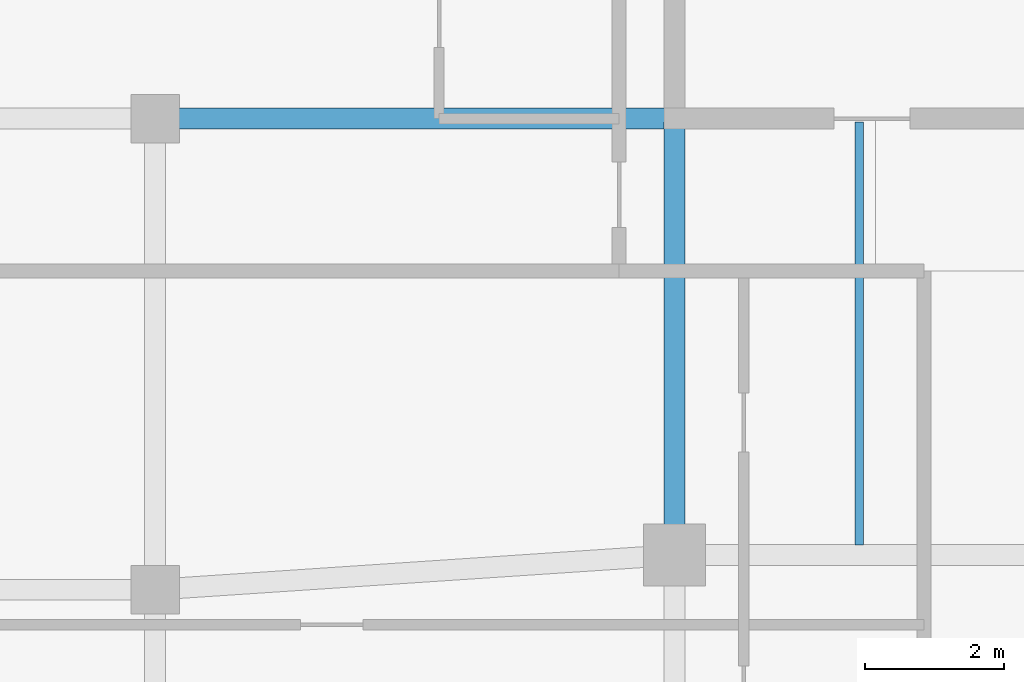
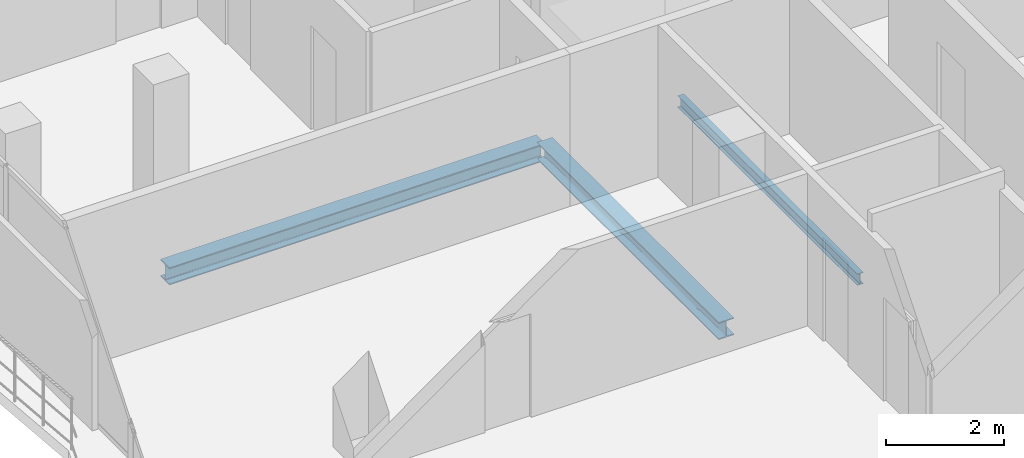
# One storey, part 11 of 23: 3 beams.
"""IFC4 building model written with IfcOpenShell, lengths in metres."""

import ifcopenshell
import ifcopenshell.guid

model = None  # the IFC model being written
_history = None  # IfcOwnerHistory: only IFC2X3 demands one
_inside = {}  # id of a spatial element -> (the spatial element, [elements in it])
_under = {}  # id of a project, library or spatial element -> (it, [spatial elements below it])
_declared = {}  # id of a project -> (the project, [libraries it declares])
_typed = {}  # id of a type object -> (the type object, [elements of that type])
_made_of = {}  # id of a material, layer set ... -> (it, [elements and type objects made of it])


def new_model(schema):
    """Start an empty IFC model of exactly this schema.

    Asked for "IFC4X3", IfcOpenShell would pick the latest addendum, in which some entities
    have other attributes; the version numbers below select the first issue.
    IFC2X3 requires an IfcOwnerHistory on every rooted entity: one is made here for all.
    """
    global model, _history
    if schema == "IFC4X3":
        model = ifcopenshell.file(schema_version=(4, 3, 0, 0))
    else:
        model = ifcopenshell.file(schema=schema)
    _inside.clear()
    _under.clear()
    _declared.clear()
    _typed.clear()
    _made_of.clear()
    _history = None
    if model.schema == "IFC2X3":
        org = make("IfcOrganization", Name="unknown")
        user = make(
            "IfcPersonAndOrganization",
            ThePerson=make("IfcPerson", FamilyName="unknown"),
            TheOrganization=org,
        )
        app = make(
            "IfcApplication",
            ApplicationDeveloper=org,
            Version="unknown",
            ApplicationFullName="unknown",
            ApplicationIdentifier="unknown",
        )
        _history = make(
            "IfcOwnerHistory",
            OwningUser=user,
            OwningApplication=app,
            ChangeAction="ADDED",
            CreationDate=0,
        )
    return model


def make(cls, **values):
    """One entity of the class cls with the attributes given. An attribute that is None is left unset."""
    return model.create_entity(
        cls, **{name: value for name, value in values.items() if value is not None}
    )


def rooted(cls, **values):
    """An entity with a GlobalId (a new one), such as an element, a storey or a relation."""
    return make(cls, GlobalId=ifcopenshell.guid.new(), OwnerHistory=_history, **values)


def si_unit(unit_type, name, prefix=None):
    """IfcSIUnit, for example si_unit("LENGTHUNIT", "METRE", prefix="MILLI")."""
    return make("IfcSIUnit", UnitType=unit_type, Prefix=prefix, Name=name)


def assignment(units):
    """IfcUnitAssignment: the units of a project."""
    return None if units is None else make("IfcUnitAssignment", Units=units)


def point(xyz):
    """IfcCartesianPoint."""
    return None if xyz is None else make("IfcCartesianPoint", Coordinates=xyz)


def direction(xyz):
    """IfcDirection."""
    return None if xyz is None else make("IfcDirection", DirectionRatios=xyz)


def frame(location, z_axis=None, x_axis=None):
    """IfcAxis2Placement3D, a coordinate frame: its origin and axes. An axis left out is left unset."""
    return make(
        "IfcAxis2Placement3D",
        Location=point(location),
        Axis=direction(z_axis),
        RefDirection=direction(x_axis),
    )


def frame_2d(location, x_axis=None):
    """IfcAxis2Placement2D, a coordinate frame in the plane: its origin and x axis."""
    return make(
        "IfcAxis2Placement2D", Location=point(location), RefDirection=direction(x_axis)
    )


def origin():
    """The frame at (0, 0, 0) with its axes left unset."""
    return frame((0.0, 0.0, 0.0))


def origin_2d():
    """The frame at (0, 0) in the plane with its x axis left unset."""
    return frame_2d((0.0, 0.0))


def place(relative_to, where):
    """IfcLocalPlacement: puts the frame where relative to a parent placement (None: the world)."""
    return make(
        "IfcLocalPlacement", PlacementRelTo=relative_to, RelativePlacement=where
    )


def context(
    kind, dimensions, precision=None, world=None, true_north=None, identifier=None
):
    """IfcGeometricRepresentationContext, for example the 3D "Model" context."""
    return make(
        "IfcGeometricRepresentationContext",
        ContextIdentifier=identifier,
        ContextType=kind,
        CoordinateSpaceDimension=dimensions,
        Precision=precision,
        WorldCoordinateSystem=world,
        TrueNorth=true_north,
    )


def subcontext(parent, identifier, kind, view, scale=None):
    """IfcGeometricRepresentationSubContext, for example "Body" below "Model"."""
    return make(
        "IfcGeometricRepresentationSubContext",
        ContextIdentifier=identifier,
        ContextType=kind,
        ParentContext=parent,
        TargetScale=scale,
        TargetView=view,
    )


def project(units=None, contexts=None):
    """IfcProject with its units and contexts."""
    return rooted(
        "IfcProject",
        Name="project",
        RepresentationContexts=contexts,
        UnitsInContext=assignment(units),
    )


def spatial(cls, under=None, at=None, **own):
    """A site, building, storey or space (cls), placed at a placement, below another one or the project."""
    s = rooted(cls, ObjectPlacement=at, **own)
    if under is not None:
        _under.setdefault(under.id(), (under, []))[1].append(s)
    return s


def profile(cls, at=None, kind="AREA", **sizes):
    """A parametric profile (cls). Its sizes go by their IFC names, for example OverallWidth=200.0."""
    return make(cls, ProfileType=kind, Position=at, **sizes)


def i_section(**sizes):
    """IfcIShapeProfileDef."""
    return profile("IfcIShapeProfileDef", **sizes)


def extrude(swept, where, along, depth):
    """IfcExtrudedAreaSolid: the profile swept, set in the frame where, extruded along a direction by depth."""
    return make(
        "IfcExtrudedAreaSolid",
        SweptArea=swept,
        Position=where,
        ExtrudedDirection=direction(along),
        Depth=depth,
    )


def shape(context_of_items, identifier, shape_type, items):
    """IfcShapeRepresentation: the items that make up one representation, for example the "Body"."""
    return make(
        "IfcShapeRepresentation",
        ContextOfItems=context_of_items,
        RepresentationIdentifier=identifier,
        RepresentationType=shape_type,
        Items=items,
    )


def material(Name=None, Category=None):
    """IfcMaterial."""
    return make("IfcMaterial", Name=Name, Category=Category)


def material_profile(
    of_material, cross_section, Name=None, Category=None, Priority=None
):
    """IfcMaterialProfile: a cross section and its material."""
    return make(
        "IfcMaterialProfile",
        Name=Name,
        Material=of_material,
        Profile=cross_section,
        Priority=Priority,
        Category=Category,
    )


def profile_set(profiles, Name=None, composite=None):
    """IfcMaterialProfileSet."""
    return make(
        "IfcMaterialProfileSet",
        Name=Name,
        MaterialProfiles=profiles,
        CompositeProfile=composite,
    )


def made_of(thing, what):
    """Note that an element or type object is made of a material, layer set ...; save() writes the relation."""
    if what is not None:
        _made_of.setdefault(what.id(), (what, []))[1].append(thing)
    return thing


def type_object(cls, material=None, **own):
    """A type object (cls), such as IfcWallType, which elements share."""
    return made_of(rooted(cls, **own), material)


def element(
    cls,
    number,
    at=None,
    inside=None,
    cuts=None,
    type_object=None,
    material=None,
    context=None,
    identifier="Body",
    shape_type=None,
    held_by="IfcProductDefinitionShape",
    body=None,
    shapes=None,
    **own,
):
    """One element of the class cls, such as IfcWall. Its Tag is "e" and its number.

    at: its placement. inside: the storey or other place that contains it. cuts: it is an
    opening in that element (IfcRelVoidsElement). A single representation is given by context,
    identifier, shape_type and body (its items); several are given by shapes. held_by: the class
    of the entity that holds the representations. save() writes the other relations.
    """
    e = rooted(cls, Tag="e%d" % number, ObjectPlacement=at, **own)
    if body is not None:
        shapes = [shape(context, identifier, shape_type, body)]
    if shapes is not None:
        e.Representation = make(held_by, Representations=shapes)
    if inside is not None:
        _inside.setdefault(inside.id(), (inside, []))[1].append(e)
    if cuts is not None:
        rooted(
            "IfcRelVoidsElement", RelatingBuildingElement=cuts, RelatedOpeningElement=e
        )
    if type_object is not None:
        _typed.setdefault(type_object.id(), (type_object, []))[1].append(e)
    return made_of(e, material)


def aggregate(whole, parts):
    """IfcRelAggregates: a whole, such as a stair, and the parts it consists of."""
    return rooted("IfcRelAggregates", RelatingObject=whole, RelatedObjects=parts)


def save(model, path):
    """Write the relations noted so far, then the file.

    IfcRelAggregates (storeys below a building ...), IfcRelContainedInSpatialStructure (elements
    in a storey), IfcRelDefinesByType, IfcRelAssociatesMaterial and IfcRelDeclares: one each for
    every whole, place, type object, material and project.
    """
    for whole, parts in _under.values():
        aggregate(whole, parts)
    for where, things in _inside.values():
        rooted(
            "IfcRelContainedInSpatialStructure",
            RelatedElements=things,
            RelatingStructure=where,
        )
    for kind, things in _typed.values():
        rooted("IfcRelDefinesByType", RelatedObjects=things, RelatingType=kind)
    for what, things in _made_of.values():
        rooted("IfcRelAssociatesMaterial", RelatedObjects=things, RelatingMaterial=what)
    for by, libraries in _declared.values():
        rooted("IfcRelDeclares", RelatingContext=by, RelatedDefinitions=libraries)
    model.write(path)


model = new_model("IFC4")

# Units and contexts
model_context = context("Model", 3, precision=1e-05, world=origin(), true_north=direction((0.0, 1.0)))
body_context = subcontext(model_context, "Body", "Model", "MODEL_VIEW")
ifc_project = project(units=[si_unit("LENGTHUNIT", "METRE"), si_unit("AREAUNIT", "SQUARE_METRE"), si_unit("VOLUMEUNIT", "CUBIC_METRE"), si_unit("PLANEANGLEUNIT", "RADIAN"), si_unit("MASSUNIT", "GRAM", prefix="KILO")], contexts=[model_context])

# Site, building, storey
site_placement = place(None, origin())
site = spatial("IfcSite", under=ifc_project, at=site_placement, CompositionType="ELEMENT")
building_placement = place(site_placement, origin())
building = spatial("IfcBuilding", under=site, at=building_placement, Name="Catumbela Crestline Tower", CompositionType="ELEMENT")
storey_placement = place(building_placement, frame((0.0, 0.0, 252.6)))
storey = spatial("IfcBuildingStorey", under=building, at=storey_placement, Name="L65", CompositionType="ELEMENT", Elevation=252.6)

# Beams
ifc_material = material(Name="Structural steel S355J2", Category="steel")
ifc_material_profile_1 = material_profile(ifc_material, i_section(OverallWidth=0.3, OverallDepth=0.36, WebThickness=0.0125, FlangeThickness=0.0225, FilletRadius=0.027, at=origin_2d()), Name="HEB 360")
ifc_profile_set_1 = profile_set([ifc_material_profile_1], Name="Structural steel S355J2")
beam_type_1 = type_object("IfcBeamType", Name="BG-HEB360", PredefinedType="BEAM", material=ifc_profile_set_1)
beam_1_placement = place(storey_placement, frame((8.58, 30.8, -0.44), z_axis=(1.0, 0.0, 0.0), x_axis=(0.0, 1.0, 0.0)))
element("IfcBeam", 1, at=beam_1_placement, inside=storey, type_object=beam_type_1, Name="L65 Beam BM-L65-M07", PredefinedType="BEAM", context=body_context, shape_type="SweptSolid", body=[
    extrude(i_section(OverallWidth=0.3, OverallDepth=0.36, WebThickness=0.0125, FlangeThickness=0.0225, FilletRadius=0.027, at=origin_2d()), origin(), (0.0, 0.0, 1.0), 7.37),
])
beam_2_placement = place(storey_placement, frame((16.0, 24.58, -0.44), z_axis=(0.0, 1.0, 0.0), x_axis=(-1.0, 0.0, 0.0)))
element("IfcBeam", 2, at=beam_2_placement, inside=storey, type_object=beam_type_1, Name="L65 Beam BM-L65-SNS15", PredefinedType="BEAM", context=body_context, shape_type="SweptSolid", body=[
    extrude(i_section(OverallWidth=0.3, OverallDepth=0.36, WebThickness=0.0125, FlangeThickness=0.0225, FilletRadius=0.027, at=origin_2d()), origin(), (0.0, 0.0, 1.0), 6.17),
])
ifc_material_profile_2 = material_profile(ifc_material, i_section(OverallWidth=0.12, OverallDepth=0.24, WebThickness=0.0062, FlangeThickness=0.0098, FilletRadius=0.015, at=origin_2d()), Name="IPE 240")
ifc_profile_set_2 = profile_set([ifc_material_profile_2], Name="Structural steel S355J2")
beam_type_2 = type_object("IfcBeamType", Name="BJ-IPE240", PredefinedType="JOIST", material=ifc_profile_set_2)
beam_3_placement = place(storey_placement, frame((18.667, 24.647, -0.38), z_axis=(0.0, 1.0, 0.0), x_axis=(-1.0, 0.0, 0.0)))
element("IfcBeam", 3, at=beam_3_placement, inside=storey, type_object=beam_type_2, Name="L65 Joist JS-L65-SP21", PredefinedType="JOIST", context=body_context, shape_type="SweptSolid", body=[
    extrude(i_section(OverallWidth=0.12, OverallDepth=0.24, WebThickness=0.0062, FlangeThickness=0.0098, FilletRadius=0.015, at=origin_2d()), origin(), (0.0, 0.0, 1.0), 6.103),
])

save(model, "model.ifc")
